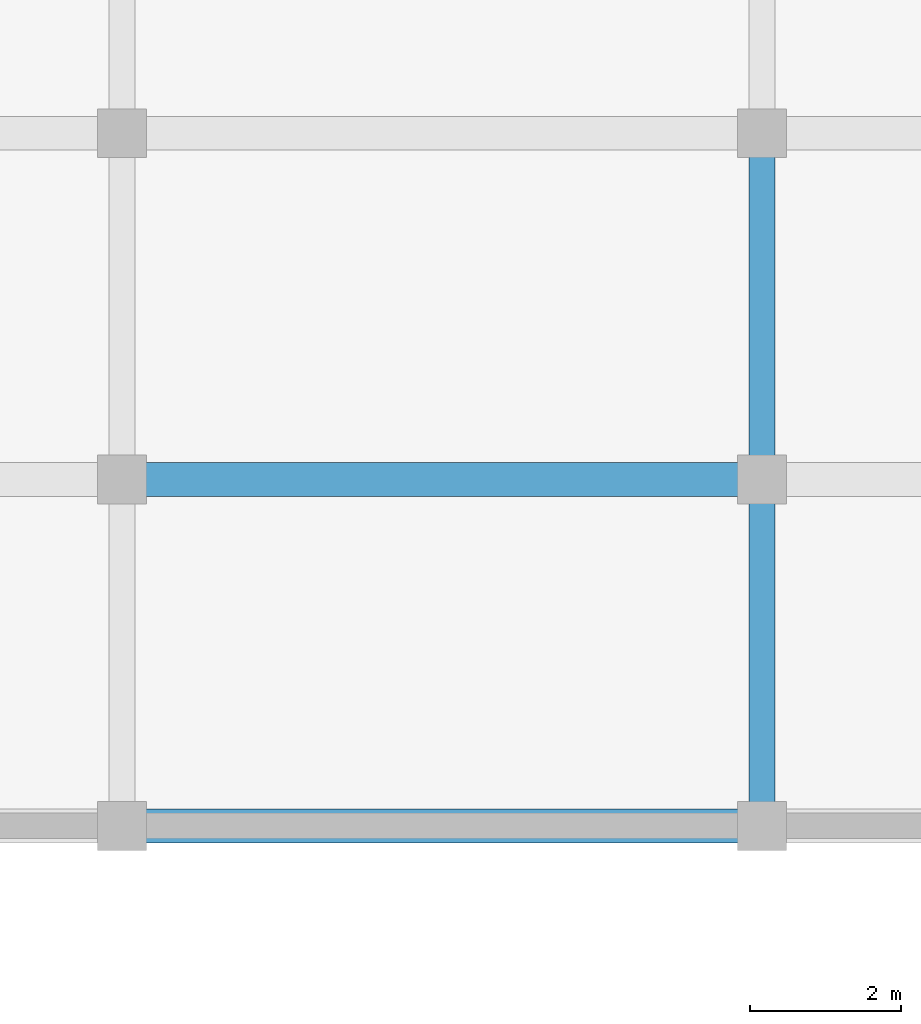
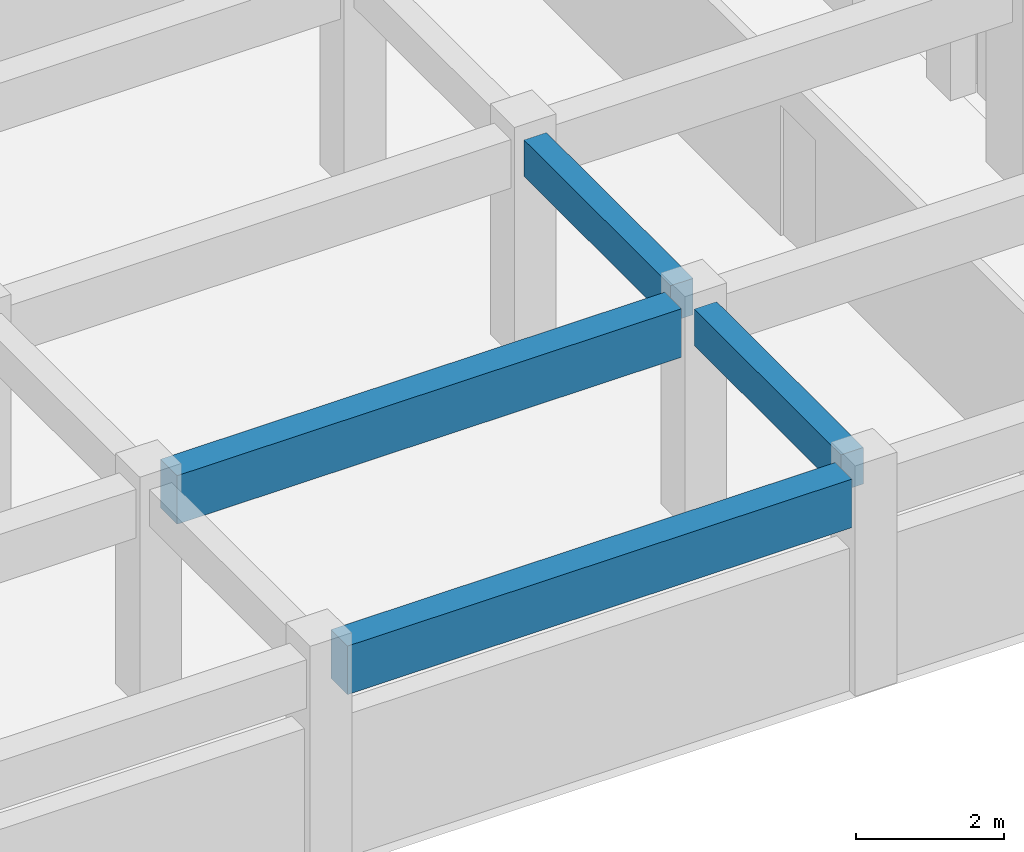
# One storey, part 11 of 74: 4 beams.
"""IFC4 building model written with IfcOpenShell, lengths in metres."""

from ifc_helpers import new_model, si_unit, direction, frame, origin, origin_2d, place, context, subcontext, project, spatial, rectangle, extrude, material, material_profile, profile_set, type_object, element, save


model = new_model("IFC4")

# Units and contexts
model_context = context("Model", 3, precision=1e-05, world=origin(), true_north=direction((0.0, 1.0)))
body_context = subcontext(model_context, "Body", "Model", "MODEL_VIEW")
ifc_project = project(units=[si_unit("LENGTHUNIT", "METRE"), si_unit("AREAUNIT", "SQUARE_METRE"), si_unit("VOLUMEUNIT", "CUBIC_METRE"), si_unit("PLANEANGLEUNIT", "RADIAN"), si_unit("MASSUNIT", "GRAM", prefix="KILO")], contexts=[model_context])

# Site, building, storey
site_placement = place(None, origin())
site = spatial("IfcSite", under=ifc_project, at=site_placement, CompositionType="ELEMENT")
building_placement = place(site_placement, origin())
building = spatial("IfcBuilding", under=site, at=building_placement, Name="Muzn Square Opera House", CompositionType="ELEMENT")
storey_placement = place(building_placement, frame((0.0, 0.0, 14.199951171875)))
storey = spatial("IfcBuildingStorey", under=building, at=storey_placement, Name="L03", CompositionType="ELEMENT", Elevation=14.199951171875)

# Beams
ifc_material = material(Name="Concrete C40/50", Category="concrete")
ifc_material_profile_1 = material_profile(ifc_material, rectangle(XDim=0.35009765625, YDim=0.60009765625, at=origin_2d()), Name="RCB 350x600", Category="concrete")
ifc_profile_set_1 = profile_set([ifc_material_profile_1], Name="Concrete C40/50")
beam_type_1 = type_object("IfcBeamType", Name="Primary Girder 350x600", PredefinedType="BEAM", material=ifc_profile_set_1)
beam_1_placement = place(storey_placement, frame((35.0, 54.51708984375, 3.239990234375), z_axis=(0.0, 1.0, 0.0), x_axis=(-1.0, 0.0, 0.0)))
element("IfcBeam", 1, at=beam_1_placement, inside=storey, type_object=beam_type_1, Name="Primary Girder BM-L03-BM-PG600-350_545_350_585-2534", PredefinedType="BEAM", context=body_context, shape_type="SweptSolid", body=[
    extrude(rectangle(XDim=0.35009765625, YDim=0.60009765625, at=origin_2d()), origin(), (0.0, 0.0, 1.0), 3.9658203125),
])
beam_2_placement = place(storey_placement, frame((35.0, 59.116943359375, 3.239990234375), z_axis=(0.0, 1.0, 0.0), x_axis=(-1.0, 0.0, 0.0)))
element("IfcBeam", 2, at=beam_2_placement, inside=storey, type_object=beam_type_1, Name="Primary Girder BM-L03-BM-PG600-350_591_350_631-2535", PredefinedType="BEAM", context=body_context, shape_type="SweptSolid", body=[
    extrude(rectangle(XDim=0.35009765625, YDim=0.60009765625, at=origin_2d()), origin(), (0.0, 0.0, 1.0), 3.966064453125),
])
ifc_material_profile_2 = material_profile(ifc_material, rectangle(XDim=0.449951171875, YDim=0.800048828125, at=origin_2d()), Name="RCB 450x800", Category="concrete")
ifc_profile_set_2 = profile_set([ifc_material_profile_2], Name="Concrete C40/50")
beam_type_2 = type_object("IfcBeamType", Name="Primary Girder 450x800", PredefinedType="BEAM", material=ifc_profile_set_2)
for number, where, z_axis, x_axis, name in (
    (3, (26.81689453125, 54.199951171875, 3.1201171875), (1.0, 0.0, 0.0), (0.0, 1.0, 0.0), "Primary Girder BM-L03-BM-PG800-268_542_347_542-2452"),
    (4, (26.81689453125, 58.800048828125, 3.14013671875), (1.0, 0.0, 0.0), (0.0, 1.0, 0.0), "Primary Girder BM-L03-BM-PG800-268_588_347_588-2458"),
):
    element("IfcBeam", number, at=place(storey_placement, frame(where, z_axis=z_axis, x_axis=x_axis)), inside=storey, type_object=beam_type_2, Name=name, PredefinedType="BEAM", context=body_context, shape_type="SweptSolid", body=[
        extrude(rectangle(XDim=0.449951171875, YDim=0.800048828125, at=origin_2d()), origin(), (0.0, 0.0, 1.0), 7.8662109375),
    ])

save(model, "model.ifc")
